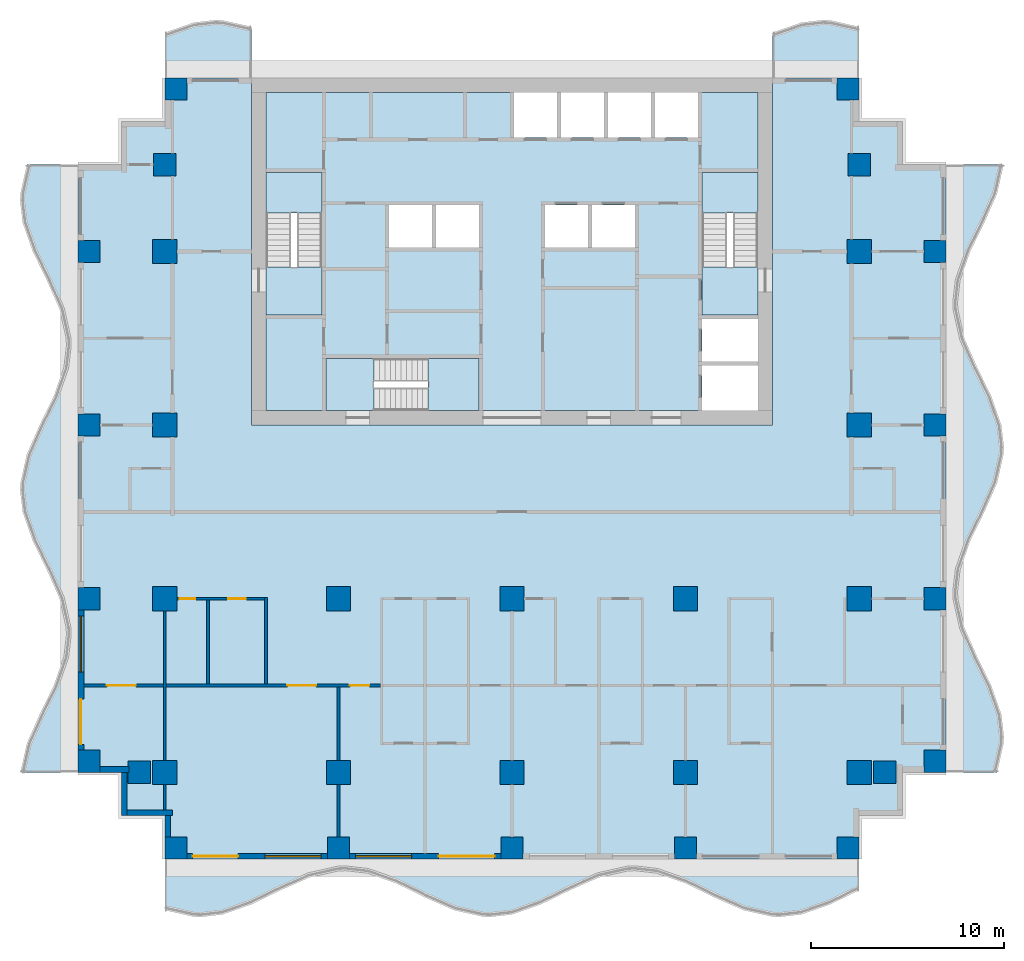
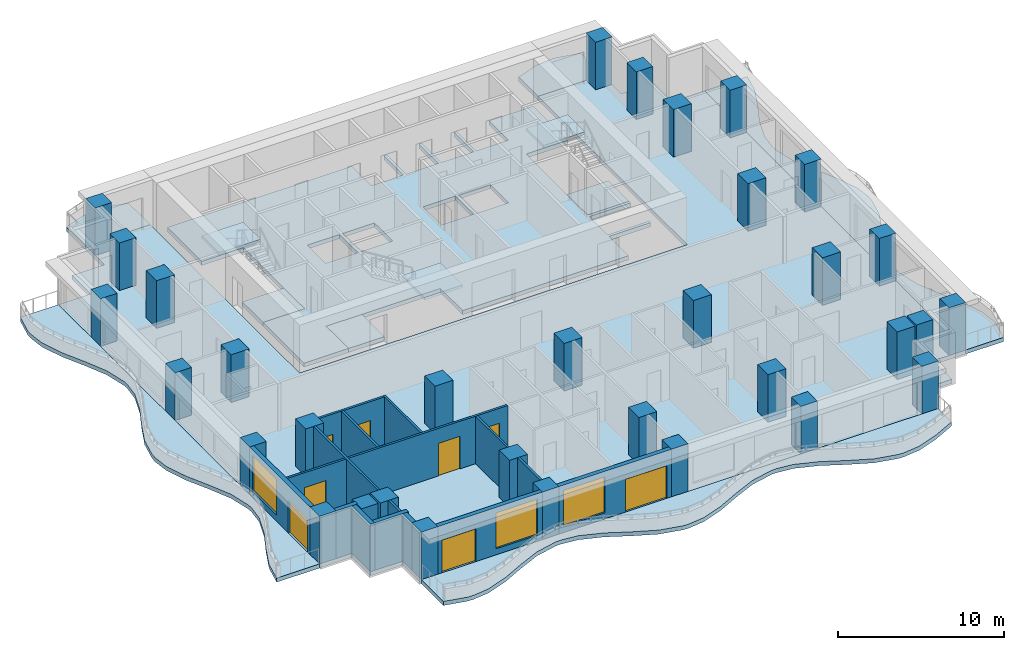
# One storey, part 1 of 10: 33 columns, 16 walls, 13 slabs, 8 doors, 3 windows, 11 openings, 3 elements without a shape of their own.
"""IFC4 building model written with IfcOpenShell, lengths in metres."""

from ifc_helpers import new_model, si_unit, direction, frame, frame_2d, origin, origin_2d, place, context, subcontext, project, spatial, polyline, rectangle, outline, extrude, material, layer, layer_set, material_profile, profile_set, type_object, element, fill, aggregate, save


model = new_model("IFC4")

# Units and contexts
model_context = context("Model", 3, precision=1e-05, world=origin(), true_north=direction((0.0, 1.0)))
body_context = subcontext(model_context, "Body", "Model", "MODEL_VIEW")
ifc_project = project(units=[si_unit("LENGTHUNIT", "METRE"), si_unit("AREAUNIT", "SQUARE_METRE"), si_unit("VOLUMEUNIT", "CUBIC_METRE"), si_unit("PLANEANGLEUNIT", "RADIAN"), si_unit("MASSUNIT", "GRAM", prefix="KILO")], contexts=[model_context])

# Site, building, storey
site_placement = place(None, origin())
site = spatial("IfcSite", under=ifc_project, at=site_placement, CompositionType="ELEMENT")
building_placement = place(site_placement, origin())
building = spatial("IfcBuilding", under=site, at=building_placement, Name="Orbiselva Terraces", CompositionType="ELEMENT")
storey_placement = place(building_placement, frame((0.0, 0.0, 147.8)))
storey = spatial("IfcBuildingStorey", under=building, at=storey_placement, Name="L37", CompositionType="ELEMENT", Elevation=147.8)

# Columns
ifc_material_1 = material(Name="Concrete C60/75", Category="concrete")
ifc_material_profile_1 = material_profile(ifc_material_1, rectangle(XDim=1.25, YDim=1.25, at=origin_2d()), Name="RC 1250x1250")
ifc_profile_set_1 = profile_set([ifc_material_profile_1], Name="Concrete C60/75")
column_type_1 = type_object("IfcColumnType", Name="COLUMN RC 1250x1250", PredefinedType="COLUMN", material=ifc_profile_set_1)
for number, where, z_axis, x_axis, name in (
    (1, (-18.0, -13.5, 0.0), (0.0, 0.0, 1.0), (1.0, 0.0, 0.0), "Column L37-01"),
    (2, (-18.0, -4.5, 0.0), (0.0, 0.0, 1.0), (1.0, 0.0, 0.0), "Column L37-03"),
    (3, (-18.0, 13.5, 0.0), (0.0, 0.0, 1.0), (1.0, 0.0, 0.0), "Column L37-04"),
    (4, (-18.0, 4.5, 0.0), (0.0, 0.0, 1.0), (1.0, 0.0, 0.0), "Column L37-06"),
    (5, (-9.0, -13.5, 0.0), (0.0, 0.0, 1.0), (1.0, 0.0, 0.0), "Column L37-13"),
    (6, (-9.0, -4.5, 0.0), (0.0, 0.0, 1.0), (1.0, 0.0, 0.0), "Column L37-15"),
    (7, (0.0, -13.5, 0.0), (0.0, 0.0, 1.0), (1.0, 0.0, 0.0), "Column L37-16"),
    (8, (0.0, -4.5, 0.0), (0.0, 0.0, 1.0), (1.0, 0.0, 0.0), "Column L37-18"),
    (9, (18.0, -13.5, 0.0), (0.0, 0.0, 1.0), (1.0, 0.0, 0.0), "Column L37-19"),
    (10, (18.0, -4.5, 0.0), (0.0, 0.0, 1.0), (1.0, 0.0, 0.0), "Column L37-21"),
    (11, (18.0, 13.5, 0.0), (0.0, 0.0, 1.0), (1.0, 0.0, 0.0), "Column L37-22"),
    (12, (18.0, 4.5, 0.0), (0.0, 0.0, 1.0), (1.0, 0.0, 0.0), "Column L37-24"),
    (13, (9.0, -13.5, 0.0), (0.0, 0.0, 1.0), (1.0, 0.0, 0.0), "Column L37-31"),
    (14, (9.0, -4.5, 0.0), (0.0, 0.0, 1.0), (1.0, 0.0, 0.0), "Column L37-33"),
):
    element("IfcColumn", number, at=place(storey_placement, frame(where, z_axis=z_axis, x_axis=x_axis)), inside=storey, type_object=column_type_1, Name=name, PredefinedType="COLUMN", context=body_context, shape_type="SweptSolid", body=[
        extrude(rectangle(XDim=1.25, YDim=1.25, at=origin_2d()), origin(), (0.0, 0.0, 1.0), 3.5),
    ])
ifc_material_profile_2 = material_profile(ifc_material_1, rectangle(XDim=1.15, YDim=1.15, at=origin_2d()), Name="RC 1150x1150")
ifc_profile_set_2 = profile_set([ifc_material_profile_2], Name="Concrete C60/75")
column_type_2 = type_object("IfcColumnType", Name="PERIMETER COLUMN RC 1150x1150", PredefinedType="COLUMN", material=ifc_profile_set_2)
for number, where, z_axis, x_axis, name in (
    (15, (-17.425, -17.425, 0.0), (0.0, 0.0, 1.0), (1.0, 0.0, 0.0), "Column L37-02"),
    (16, (-17.425, 21.925, 0.0), (0.0, 0.0, 1.0), (1.0, 0.0, 0.0), "Column L37-05"),
    (17, (-21.925, -12.925, 0.0), (0.0, 0.0, 1.0), (1.0, 0.0, 0.0), "Column L37-07"),
    (18, (-19.32, -13.5, 0.0), (0.0, 0.0, 1.0), (1.0, 0.0, 0.0), "Column L37-08"),
    (19, (-21.925, -4.5, 0.0), (0.0, 0.0, 1.0), (1.0, 0.0, 0.0), "Column L37-09"),
    (20, (-21.925, 13.5, 0.0), (0.0, 0.0, 1.0), (1.0, 0.0, 0.0), "Column L37-10"),
    (21, (-18.0, 18.0, 0.0), (0.0, 0.0, 1.0), (1.0, 0.0, 0.0), "Column L37-11"),
    (22, (-21.925, 4.5, 0.0), (0.0, 0.0, 1.0), (1.0, 0.0, 0.0), "Column L37-12"),
    (23, (-9.0, -17.425, 0.0), (0.0, 0.0, 1.0), (1.0, 0.0, 0.0), "Column L37-14"),
    (24, (0.0, -17.425, 0.0), (0.0, 0.0, 1.0), (1.0, 0.0, 0.0), "Column L37-17"),
    (25, (17.425, -17.425, 0.0), (0.0, 0.0, 1.0), (1.0, 0.0, 0.0), "Column L37-20"),
    (26, (17.425, 21.925, 0.0), (0.0, 0.0, 1.0), (1.0, 0.0, 0.0), "Column L37-23"),
    (27, (21.925, -12.925, 0.0), (0.0, 0.0, 1.0), (1.0, 0.0, 0.0), "Column L37-25"),
    (28, (19.32, -13.5, 0.0), (0.0, 0.0, 1.0), (1.0, 0.0, 0.0), "Column L37-26"),
    (29, (21.925, -4.5, 0.0), (0.0, 0.0, 1.0), (1.0, 0.0, 0.0), "Column L37-27"),
    (30, (21.925, 13.5, 0.0), (0.0, 0.0, 1.0), (1.0, 0.0, 0.0), "Column L37-28"),
    (31, (18.0, 18.0, 0.0), (0.0, 0.0, 1.0), (1.0, 0.0, 0.0), "Column L37-29"),
    (32, (21.925, 4.5, 0.0), (0.0, 0.0, 1.0), (1.0, 0.0, 0.0), "Column L37-30"),
    (33, (9.0, -17.425, 0.0), (0.0, 0.0, 1.0), (1.0, 0.0, 0.0), "Column L37-32"),
):
    element("IfcColumn", number, at=place(storey_placement, frame(where, z_axis=z_axis, x_axis=x_axis)), inside=storey, type_object=column_type_2, Name=name, PredefinedType="COLUMN", context=body_context, shape_type="SweptSolid", body=[
        extrude(rectangle(XDim=1.15, YDim=1.15, at=origin_2d()), origin(), (0.0, 0.0, 1.0), 3.5),
    ])

# Slabs
ifc_material_2 = material(Name="Concrete C40/50", Category="concrete")
ifc_layer_1 = layer(ifc_material_2, 0.3)
ifc_layer_set_1 = layer_set([ifc_layer_1], Name="Concrete C40/50")
slab_type_1 = type_object("IfcSlabType", Name="CORE-SLAB-FLOOR-300", PredefinedType="FLOOR", material=ifc_layer_set_1)
slab_1_placement = place(storey_placement, frame((0.0, 0.0, -0.3)))
element("IfcSlab", 34, at=slab_1_placement, inside=storey, type_object=slab_type_1, Name="L37 S1 floor landing", PredefinedType="FLOOR", context=body_context, shape_type="SweptSolid", body=[
    extrude(outline(polyline([(-12.75, 12.7), (-9.85, 12.7), (-9.85, 10.2), (-12.75, 10.2), (-12.75, 12.7)])), origin(), (0.0, 0.0, 1.0), 0.3),
])
slab_2_placement = place(storey_placement, frame((0.0, 0.0, -0.3)))
element("IfcSlab", 35, at=slab_2_placement, inside=storey, type_object=slab_type_1, Name="L37 S2 floor landing", PredefinedType="FLOOR", context=body_context, shape_type="SweptSolid", body=[
    extrude(outline(polyline([(12.75, 12.7), (12.75, 10.2), (9.85, 10.2), (9.85, 12.7), (12.75, 12.7)])), origin(), (0.0, 0.0, 1.0), 0.3),
])
slab_3_placement = place(storey_placement, frame((0.0, 0.0, -0.3)))
element("IfcSlab", 36, at=slab_3_placement, inside=storey, type_object=slab_type_1, Name="L37 S3 floor landing", PredefinedType="FLOOR", context=body_context, shape_type="SweptSolid", body=[
    extrude(outline(polyline([(-7.15, 5.25), (-9.65, 5.25), (-9.65, 7.95), (-7.15, 7.95), (-7.15, 5.25)])), origin(), (0.0, 0.0, 1.0), 0.3),
])
slab_4_placement = place(storey_placement, frame((0.0, 0.0, -0.3)))
element("IfcSlab", 37, at=slab_4_placement, inside=storey, type_object=slab_type_1, Name="L37 core floor slab 1", PredefinedType="FLOOR", context=body_context, shape_type="SweptSolid", body=[
    extrude(outline(polyline([(-1.7, 5.25), (-1.7, 7.95), (-9.65, 7.95), (-9.65, 5.25), (-12.75, 5.25), (-12.75, 10.2), (-9.85, 10.2), (-9.85, 17.6), (-12.75, 17.6), (-12.75, 21.75), (0.1, 21.75), (0.1, 19.4), (2.3375, 19.4), (2.3375, 21.75), (2.5375, 21.75), (2.5375, 19.4), (4.775, 19.4), (4.775, 21.75), (4.975, 21.75), (4.975, 19.4), (7.2125, 19.4), (7.2125, 21.75), (7.4125, 21.75), (7.4125, 19.4), (9.65, 19.4), (9.65, 21.75), (12.75, 21.75), (12.75, 17.6), (9.85, 17.6), (9.85, 10.2), (12.75, 10.2), (12.75, 10.0), (9.85, 10.0), (9.85, 7.8), (12.75, 7.8), (12.75, 7.6), (9.85, 7.6), (9.85, 5.25), (-1.7, 5.25)]), holes=[polyline([(-4.1375, 13.7), (-4.1375, 15.9), (-6.375, 15.9), (-6.375, 13.7), (-4.1375, 13.7)]), polyline([(-1.7, 13.7), (-1.7, 15.9), (-3.9375, 15.9), (-3.9375, 13.7), (-1.7, 13.7)]), polyline([(3.9375, 15.9), (1.7, 15.9), (1.7, 13.7), (3.9375, 13.7), (3.9375, 15.9)]), polyline([(6.375, 13.7), (6.375, 15.9), (4.1375, 15.9), (4.1375, 13.7), (6.375, 13.7)])]), origin(), (0.0, 0.0, 1.0), 0.3),
])

# Stair, slab
stair_type_1 = type_object("IfcStairType", Name="CORE-STAIR-1300", PredefinedType="HALF_TURN_STAIR", material=ifc_material_2)
stair_1_placement = place(storey_placement, origin())
stair_1 = element("IfcStair", 38, at=stair_1_placement, inside=storey, type_object=stair_type_1, Name="L37 Exit Stair S1", PredefinedType="HALF_TURN_STAIR")
ifc_layer_2 = layer(ifc_material_2, 0.2)
ifc_layer_set_2 = layer_set([ifc_layer_2], Name="Concrete C40/50")
slab_type_2 = type_object("IfcSlabType", Name="CORE-STAIR-LANDING-200", PredefinedType="LANDING", material=ifc_layer_set_2)
slab_5_placement = place(storey_placement, frame((0.0, 0.0, 1.7)))
slab_5 = element("IfcSlab", 39, at=slab_5_placement, type_object=slab_type_2, Name="S1 landing 1", PredefinedType="LANDING", context=body_context, shape_type="SweptSolid", body=[
    extrude(outline(polyline([(-9.85, 15.5), (-9.85, 17.6), (-12.75, 17.6), (-12.75, 15.5), (-9.85, 15.5)])), origin(), (0.0, 0.0, 1.0), 0.2),
])
aggregate(stair_1, [slab_5])

stair_2_placement = place(storey_placement, origin())
stair_2 = element("IfcStair", 40, at=stair_2_placement, inside=storey, type_object=stair_type_1, Name="L37 Exit Stair S2", PredefinedType="HALF_TURN_STAIR")
slab_6_placement = place(storey_placement, frame((0.0, 0.0, 1.7)))
slab_6 = element("IfcSlab", 41, at=slab_6_placement, type_object=slab_type_2, Name="S2 landing 1", PredefinedType="LANDING", context=body_context, shape_type="SweptSolid", body=[
    extrude(outline(polyline([(12.75, 15.5), (12.75, 17.6), (9.85, 17.6), (9.85, 15.5), (12.75, 15.5)])), origin(), (0.0, 0.0, 1.0), 0.2),
])
aggregate(stair_2, [slab_6])

stair_type_2 = type_object("IfcStairType", Name="CORE-STAIR-1200", PredefinedType="HALF_TURN_STAIR", material=ifc_material_2)
stair_3_placement = place(storey_placement, origin())
stair_3 = element("IfcStair", 42, at=stair_3_placement, inside=storey, type_object=stair_type_2, Name="L37 Exit Stair S3", PredefinedType="HALF_TURN_STAIR")
slab_7_placement = place(storey_placement, frame((0.0, 0.0, 1.7)))
slab_7 = element("IfcSlab", 43, at=slab_7_placement, type_object=slab_type_2, Name="S3 landing 1", PredefinedType="LANDING", context=body_context, shape_type="SweptSolid", body=[
    extrude(outline(polyline([(-4.35, 5.25), (-1.7, 5.25), (-1.7, 7.95), (-4.35, 7.95), (-4.35, 5.25)])), origin(), (0.0, 0.0, 1.0), 0.2),
])
aggregate(stair_3, [slab_7])

# Slabs
ifc_material_3 = material(Name="Concrete C50/60", Category="concrete")
ifc_layer_3 = layer(ifc_material_3, 0.3)
ifc_layer_set_3 = layer_set([ifc_layer_3], Name="Concrete C50/60")
slab_type_3 = type_object("IfcSlabType", Name="ENV-BALCONY-SLAB-300", PredefinedType="FLOOR", material=ifc_layer_set_3)
slab_8_placement = place(storey_placement, frame((0.0, 0.0, -0.3)))
element("IfcSlab", 44, at=slab_8_placement, inside=storey, type_object=slab_type_3, Name="Balcony slab L37 S", PredefinedType="FLOOR", context=body_context, shape_type="SweptSolid", body=[
    extrude(outline(polyline([(-18.0, -20.648528), (-16.5, -20.985226), (-16.125, -21.0), (-15.0, -20.869208), (-13.5, -20.344789), (-12.0, -19.612279), (-10.5, -18.951472), (-9.0, -18.614774), (-8.625, -18.6), (-7.5, -18.730792), (-6.0, -19.255211), (-4.5, -19.987721), (-3.0, -20.648528), (-1.5, -20.985226), (-1.125, -21.0), (0.0, -20.869208), (1.5, -20.344789), (3.0, -19.612279), (4.5, -18.951472), (6.0, -18.614774), (6.375, -18.6), (7.5, -18.730792), (9.0, -19.255211), (10.5, -19.987721), (12.0, -20.648528), (13.5, -20.985226), (13.875, -21.0), (15.0, -20.869208), (16.5, -20.344789), (18.0, -19.612279), (18.0, -18.0), (-18.0, -18.0), (-18.0, -20.648528)])), origin(), (0.0, 0.0, 1.0), 0.3),
])
slab_9_placement = place(storey_placement, frame((0.0, 0.0, -0.3)))
element("IfcSlab", 45, at=slab_9_placement, inside=storey, type_object=slab_type_3, Name="Balcony slab L37 E", PredefinedType="FLOOR", context=body_context, shape_type="SweptSolid", body=[
    extrude(outline(polyline([(25.148528, -13.5), (25.485226, -12.0), (25.5, -11.625), (25.369208, -10.5), (24.844789, -9.0), (24.112279, -7.5), (23.451472, -6.0), (23.114774, -4.5), (23.1, -4.125), (23.230792, -3.0), (23.755211, -1.5), (24.487721, 0.0), (25.148528, 1.5), (25.485226, 3.0), (25.5, 3.375), (25.369208, 4.5), (24.844789, 6.0), (24.112279, 7.5), (23.451472, 9.0), (23.114774, 10.5), (23.1, 10.875), (23.230792, 12.0), (23.755211, 13.5), (24.487721, 15.0), (25.148528, 16.5), (25.485226, 18.0), (22.5, 18.0), (22.5, -13.5), (25.148528, -13.5)])), origin(), (0.0, 0.0, 1.0), 0.3),
])
slab_10_placement = place(storey_placement, frame((0.0, 0.0, -0.3)))
element("IfcSlab", 46, at=slab_10_placement, inside=storey, type_object=slab_type_3, Name="Balcony slab L37 NE", PredefinedType="FLOOR", context=body_context, shape_type="SweptSolid", body=[
    extrude(outline(polyline([(18.0, 25.148528), (16.5, 25.485226), (16.125, 25.5), (15.0, 25.369208), (13.5, 24.844789), (13.5, 22.5), (18.0, 22.5), (18.0, 25.148528)])), origin(), (0.0, 0.0, 1.0), 0.3),
])
slab_11_placement = place(storey_placement, frame((0.0, 0.0, -0.3)))
element("IfcSlab", 47, at=slab_11_placement, inside=storey, type_object=slab_type_3, Name="Balcony slab L37 NW", PredefinedType="FLOOR", context=body_context, shape_type="SweptSolid", body=[
    extrude(outline(polyline([(-13.5, 25.148528), (-15.0, 25.485226), (-15.375, 25.5), (-16.5, 25.369208), (-18.0, 24.844789), (-18.0, 22.5), (-13.5, 22.5), (-13.5, 25.148528)])), origin(), (0.0, 0.0, 1.0), 0.3),
])
slab_12_placement = place(storey_placement, frame((0.0, 0.0, -0.3)))
element("IfcSlab", 48, at=slab_12_placement, inside=storey, type_object=slab_type_3, Name="Balcony slab L37 W", PredefinedType="FLOOR", context=body_context, shape_type="SweptSolid", body=[
    extrude(outline(polyline([(-25.148528, 18.0), (-25.485226, 16.5), (-25.5, 16.125), (-25.369208, 15.0), (-24.844789, 13.5), (-24.112279, 12.0), (-23.451472, 10.5), (-23.114774, 9.0), (-23.1, 8.625), (-23.230792, 7.5), (-23.755211, 6.0), (-24.487721, 4.5), (-25.148528, 3.0), (-25.485226, 1.5), (-25.5, 1.125), (-25.369208, 0.0), (-24.844789, -1.5), (-24.112279, -3.0), (-23.451472, -4.5), (-23.114774, -6.0), (-23.1, -6.375), (-23.230792, -7.5), (-23.755211, -9.0), (-24.487721, -10.5), (-25.148528, -12.0), (-25.485226, -13.5), (-22.5, -13.5), (-22.5, 18.0), (-25.148528, 18.0)])), origin(), (0.0, 0.0, 1.0), 0.3),
])
ifc_layer_4 = layer(ifc_material_3, 0.3)
ifc_layer_set_4 = layer_set([ifc_layer_4], Name="Concrete C50/60")
slab_type_4 = type_object("IfcSlabType", Name="FLOOR SLAB 300", PredefinedType="FLOOR", material=ifc_layer_set_4)
slab_13_placement = place(storey_placement, frame((0.0, 0.0, -0.3)))
element("IfcSlab", 49, at=slab_13_placement, inside=storey, type_object=slab_type_4, Name="Floor slab L37", PredefinedType="FLOOR", context=body_context, shape_type="SweptSolid", body=[
    extrude(outline(polyline([(18.0, 22.5), (18.0, 20.25), (20.25, 20.25), (20.25, 18.0), (22.5, 18.0), (22.5, -13.5), (20.25, -13.5), (20.25, -15.75), (18.0, -15.75), (18.0, -18.0), (-18.0, -18.0), (-18.0, -15.75), (-20.25, -15.75), (-20.25, -13.5), (-22.5, -13.5), (-22.5, 18.0), (-20.25, 18.0), (-20.25, 20.25), (-18.0, 20.25), (-18.0, 22.5), (-13.5, 22.5), (-13.5, 4.5), (13.5, 4.5), (13.5, 22.5), (18.0, 22.5)])), origin(), (0.0, 0.0, 1.0), 0.3),
])

# Wall, openings, door, window
ifc_material_4 = material(Name="Terracotta cladding on masonry backing", Category="masonry")
ifc_layer_5 = layer(ifc_material_4, 0.3)
ifc_layer_set_5 = layer_set([ifc_layer_5], Name="Terracotta cladding on masonry backing")
wall_type_1 = type_object("IfcWallType", Name="ENV-WALL-TERRACOTTA-300", PredefinedType="SOLIDWALL", material=ifc_layer_set_5)
wall_1_placement = place(storey_placement, frame((-9.575, -17.85, 0.0), z_axis=(0.0, 0.0, 1.0), x_axis=(-1.0, 0.0, 0.0)))
wall_1 = element("IfcWall", 50, at=wall_1_placement, inside=storey, type_object=wall_type_1, Name="Facade wall L37 S", PredefinedType="SOLIDWALL", context=body_context, shape_type="SweptSolid", body=[
    extrude(rectangle(XDim=7.275, YDim=0.3, at=frame_2d((3.6375, 0.0))), origin(), (0.0, 0.0, 1.0), 3.5),
])
opening_1_placement = place(wall_1_placement, frame((4.625, 0.0, 0.0)))
opening_1 = element("IfcOpeningElement", 51, at=opening_1_placement, cuts=wall_1, Name="Opening Z3-C-E01", PredefinedType="OPENING", context=body_context, shape_type="SweptSolid", body=[
    extrude(rectangle(XDim=2.35, YDim=2.4, at=frame_2d((1.175, 1.2))), frame((0.0, 0.16, 0.0), z_axis=(0.0, -1.0, 0.0), x_axis=(1.0, 0.0, 0.0)), (0.0, 0.0, 1.0), 0.32),
])
opening_2_placement = place(wall_1_placement, frame((0.325, 0.0, 0.45)))
opening_2 = element("IfcOpeningElement", 52, at=opening_2_placement, cuts=wall_1, Name="Opening WN8", PredefinedType="OPENING", context=body_context, shape_type="SweptSolid", body=[
    extrude(rectangle(XDim=2.9, YDim=2.65, at=frame_2d((1.45, 1.325))), frame((0.0, 0.16, 0.0), z_axis=(0.0, -1.0, 0.0), x_axis=(1.0, 0.0, 0.0)), (0.0, 0.0, 1.0), 0.32),
])
ifc_material_5 = material(Name="Clear low-e glazing in aluminium frame", Category="aluminium")
door_type_1 = type_object("IfcDoorType", Name="BALCONY DOOR 2350 X 2400", OperationType="DOUBLE_DOOR_SLIDING", PredefinedType="DOOR", material=ifc_material_5)
door_1_placement = place(opening_1_placement, origin())
door_1 = element("IfcDoor", 53, at=door_1_placement, inside=storey, type_object=door_type_1, Name="Z3-C-E01", OperationType="SINGLE_SWING_LEFT", OverallHeight=2.4, OverallWidth=2.35, PredefinedType="DOOR", context=body_context, shape_type="SweptSolid", body=[
    extrude(rectangle(XDim=2.35, YDim=2.4, at=frame_2d((1.175, 1.2))), frame((0.0, 0.025, 0.0), z_axis=(0.0, -1.0, 0.0), x_axis=(1.0, 0.0, 0.0)), (0.0, 0.0, 1.0), 0.05),
])
fill(opening_1, door_1)
window_type = type_object("IfcWindowType", Name="WINDOW 2900 X 2650 S450", PartitioningType="TRIPLE_PANEL_VERTICAL", PredefinedType="WINDOW", material=ifc_material_5)
window_1_placement = place(opening_2_placement, origin())
window_1 = element("IfcWindow", 54, at=window_1_placement, inside=storey, type_object=window_type, Name="Window L37 S", OverallHeight=2.65, OverallWidth=2.9, PartitioningType="SINGLE_PANEL", PredefinedType="WINDOW", context=body_context, shape_type="SweptSolid", body=[
    extrude(rectangle(XDim=2.9, YDim=2.65, at=frame_2d((1.45, 1.325))), frame((0.0, 0.03, 0.0), z_axis=(0.0, -1.0, 0.0), x_axis=(1.0, 0.0, 0.0)), (0.0, 0.0, 1.0), 0.06),
])
fill(opening_2, window_1)

wall_2_placement = place(storey_placement, frame((-0.575, -17.85, 0.0), z_axis=(0.0, 0.0, 1.0), x_axis=(-1.0, 0.0, 0.0)))
wall_2 = element("IfcWall", 55, at=wall_2_placement, inside=storey, type_object=wall_type_1, Name="Facade wall L37 S", PredefinedType="SOLIDWALL", context=body_context, shape_type="SweptSolid", body=[
    extrude(rectangle(XDim=7.85, YDim=0.3, at=frame_2d((3.925, 0.0))), origin(), (0.0, 0.0, 1.0), 3.5),
])
opening_3_placement = place(wall_2_placement, frame((4.625, 0.0, 0.45)))
opening_3 = element("IfcOpeningElement", 56, at=opening_3_placement, cuts=wall_2, Name="Opening WN8", PredefinedType="OPENING", context=body_context, shape_type="SweptSolid", body=[
    extrude(rectangle(XDim=2.9, YDim=2.65, at=frame_2d((1.45, 1.325))), frame((0.0, 0.16, 0.0), z_axis=(0.0, -1.0, 0.0), x_axis=(1.0, 0.0, 0.0)), (0.0, 0.0, 1.0), 0.32),
])
opening_4_placement = place(wall_2_placement, frame((0.325, 0.0, 0.0)))
opening_4 = element("IfcOpeningElement", 57, at=opening_4_placement, cuts=wall_2, Name="Opening Z3-C-E02", PredefinedType="OPENING", context=body_context, shape_type="SweptSolid", body=[
    extrude(rectangle(XDim=2.9, YDim=2.4, at=frame_2d((1.45, 1.2))), frame((0.0, 0.16, 0.0), z_axis=(0.0, -1.0, 0.0), x_axis=(1.0, 0.0, 0.0)), (0.0, 0.0, 1.0), 0.32),
])
door_type_2 = type_object("IfcDoorType", Name="BALCONY DOOR 2900 X 2400", OperationType="DOUBLE_DOOR_SLIDING", PredefinedType="DOOR", material=ifc_material_5)
door_2_placement = place(opening_4_placement, origin())
door_2 = element("IfcDoor", 58, at=door_2_placement, inside=storey, type_object=door_type_2, Name="Z3-C-E02", OperationType="SINGLE_SWING_LEFT", OverallHeight=2.4, OverallWidth=2.9, PredefinedType="DOOR", context=body_context, shape_type="SweptSolid", body=[
    extrude(rectangle(XDim=2.9, YDim=2.4, at=frame_2d((1.45, 1.2))), frame((0.0, 0.025, 0.0), z_axis=(0.0, -1.0, 0.0), x_axis=(1.0, 0.0, 0.0)), (0.0, 0.0, 1.0), 0.05),
])
fill(opening_4, door_2)
window_2_placement = place(opening_3_placement, origin())
window_2 = element("IfcWindow", 59, at=window_2_placement, inside=storey, type_object=window_type, Name="Window L37 S", OverallHeight=2.65, OverallWidth=2.9, PartitioningType="SINGLE_PANEL", PredefinedType="WINDOW", context=body_context, shape_type="SweptSolid", body=[
    extrude(rectangle(XDim=2.9, YDim=2.65, at=frame_2d((1.45, 1.325))), frame((0.0, 0.03, 0.0), z_axis=(0.0, -1.0, 0.0), x_axis=(1.0, 0.0, 0.0)), (0.0, 0.0, 1.0), 0.06),
])
fill(opening_3, window_2)

wall_3_placement = place(storey_placement, frame((-22.35, -12.35, 0.0), z_axis=(0.0, 0.0, 1.0), x_axis=(0.0, 1.0, 0.0)))
wall_3 = element("IfcWall", 60, at=wall_3_placement, inside=storey, type_object=wall_type_1, Name="Facade wall L37 W", PredefinedType="SOLIDWALL", context=body_context, shape_type="SweptSolid", body=[
    extrude(rectangle(XDim=7.275, YDim=0.3, at=frame_2d((3.6375, 0.0))), origin(), (0.0, 0.0, 1.0), 3.5),
])
opening_5_placement = place(wall_3_placement, frame((4.05, 0.0, 0.45)))
opening_5 = element("IfcOpeningElement", 61, at=opening_5_placement, cuts=wall_3, Name="Opening WN8", PredefinedType="OPENING", context=body_context, shape_type="SweptSolid", body=[
    extrude(rectangle(XDim=2.9, YDim=2.65, at=frame_2d((1.45, 1.325))), frame((0.0, 0.16, 0.0), z_axis=(0.0, -1.0, 0.0), x_axis=(1.0, 0.0, 0.0)), (0.0, 0.0, 1.0), 0.32),
])
opening_6_placement = place(wall_3_placement, frame((0.3, 0.0, 0.0)))
opening_6 = element("IfcOpeningElement", 62, at=opening_6_placement, cuts=wall_3, Name="Opening Z3-C-E12", PredefinedType="OPENING", context=body_context, shape_type="SweptSolid", body=[
    extrude(rectangle(XDim=2.35, YDim=2.4, at=frame_2d((1.175, 1.2))), frame((0.0, 0.16, 0.0), z_axis=(0.0, -1.0, 0.0), x_axis=(1.0, 0.0, 0.0)), (0.0, 0.0, 1.0), 0.32),
])
door_3_placement = place(opening_6_placement, origin())
door_3 = element("IfcDoor", 63, at=door_3_placement, inside=storey, type_object=door_type_1, Name="Z3-C-E12", OperationType="SINGLE_SWING_LEFT", OverallHeight=2.4, OverallWidth=2.35, PredefinedType="DOOR", context=body_context, shape_type="SweptSolid", body=[
    extrude(rectangle(XDim=2.35, YDim=2.4, at=frame_2d((1.175, 1.2))), frame((0.0, 0.025, 0.0), z_axis=(0.0, -1.0, 0.0), x_axis=(1.0, 0.0, 0.0)), (0.0, 0.0, 1.0), 0.05),
])
fill(opening_6, door_3)
window_3_placement = place(opening_5_placement, origin())
window_3 = element("IfcWindow", 64, at=window_3_placement, inside=storey, type_object=window_type, Name="Window L37 W", OverallHeight=2.65, OverallWidth=2.9, PartitioningType="SINGLE_PANEL", PredefinedType="WINDOW", context=body_context, shape_type="SweptSolid", body=[
    extrude(rectangle(XDim=2.9, YDim=2.65, at=frame_2d((1.45, 1.325))), frame((0.0, 0.03, 0.0), z_axis=(0.0, -1.0, 0.0), x_axis=(1.0, 0.0, 0.0)), (0.0, 0.0, 1.0), 0.06),
])
fill(opening_5, window_3)

# Walls
wall_4_placement = place(storey_placement, frame((-19.85, -13.35, 0.0), z_axis=(0.0, 0.0, 1.0), x_axis=(-1.0, 0.0, 0.0)))
element("IfcWall", 65, at=wall_4_placement, inside=storey, type_object=wall_type_1, Name="Facade wall L37 STEP", PredefinedType="SOLIDWALL", context=body_context, shape_type="SweptSolid", body=[
    extrude(rectangle(XDim=1.5, YDim=0.3, at=frame_2d((0.75, 0.0))), origin(), (0.0, 0.0, 1.0), 3.5),
])
wall_5_placement = place(storey_placement, frame((-20.1, -15.75, 0.0), z_axis=(0.0, 0.0, 1.0), x_axis=(0.0, 1.0, 0.0)))
element("IfcWall", 66, at=wall_5_placement, inside=storey, type_object=wall_type_1, Name="Facade wall L37 STEP", PredefinedType="SOLIDWALL", context=body_context, shape_type="SweptSolid", body=[
    extrude(rectangle(XDim=2.25, YDim=0.3, at=frame_2d((1.125, 0.0))), origin(), (0.0, 0.0, 1.0), 3.5),
])
wall_6_placement = place(storey_placement, frame((-17.6, -15.6, 0.0), z_axis=(0.0, 0.0, 1.0), x_axis=(-1.0, 0.0, 0.0)))
element("IfcWall", 67, at=wall_6_placement, inside=storey, type_object=wall_type_1, Name="Facade wall L37 STEP", PredefinedType="SOLIDWALL", context=body_context, shape_type="SweptSolid", body=[
    extrude(rectangle(XDim=2.35, YDim=0.3, at=frame_2d((1.175, 0.0))), origin(), (0.0, 0.0, 1.0), 3.5),
])
wall_7_placement = place(storey_placement, frame((-17.85, -16.85, 0.0), z_axis=(0.0, 0.0, 1.0), x_axis=(0.0, 1.0, 0.0)))
element("IfcWall", 68, at=wall_7_placement, inside=storey, type_object=wall_type_1, Name="Facade wall L37 STEP", PredefinedType="SOLIDWALL", context=body_context, shape_type="SweptSolid", body=[
    extrude(rectangle(XDim=1.1, YDim=0.3, at=frame_2d((0.55, 0.0))), origin(), (0.0, 0.0, 1.0), 3.5),
])

# Wall, opening, door
ifc_material_6 = material(Name="Plasterboard on steel stud partition", Category="steel")
ifc_layer_6 = layer(ifc_material_6, 0.15)
ifc_layer_set_6 = layer_set([ifc_layer_6], Name="Plasterboard on steel stud partition")
wall_type_2 = type_object("IfcWallType", Name="UNIT-PARTITION-150", PredefinedType="PARTITIONING", material=ifc_layer_set_6)
wall_8_placement = place(storey_placement, frame((-18.075, -9.0, 0.0), z_axis=(0.0, 0.0, 1.0), x_axis=(-1.0, 0.0, 0.0)))
wall_8 = element("IfcWall", 69, at=wall_8_placement, inside=storey, type_object=wall_type_2, Name="PARTITION L37-006", PredefinedType="PARTITIONING", context=body_context, shape_type="SweptSolid", body=[
    extrude(rectangle(XDim=4.125, YDim=0.15, at=frame_2d((2.0625, 0.0))), origin(), (0.0, 0.0, 1.0), 3.5),
])
opening_7_placement = place(wall_8_placement, frame((1.425, 0.0, 0.0)))
opening_7 = element("IfcOpeningElement", 70, at=opening_7_placement, cuts=wall_8, Name="Opening Z3-C-34", PredefinedType="OPENING", context=body_context, shape_type="SweptSolid", body=[
    extrude(rectangle(XDim=1.5, YDim=2.4, at=frame_2d((0.75, 1.2))), frame((0.0, 0.085, 0.0), z_axis=(0.0, -1.0, 0.0), x_axis=(1.0, 0.0, 0.0)), (0.0, 0.0, 1.0), 0.17),
])
ifc_material_7 = material(Name="Painted timber door leaf", Category="wood")
door_type_3 = type_object("IfcDoorType", Name="DOUBLE DOOR 1500", OperationType="NOTDEFINED", PredefinedType="DOOR", material=ifc_material_7)
door_4_placement = place(opening_7_placement, origin())
door_4 = element("IfcDoor", 71, at=door_4_placement, inside=storey, type_object=door_type_3, Name="Z3-C-34", OperationType="DOUBLE_DOOR_SINGLE_SWING", OverallHeight=2.4, OverallWidth=1.5, PredefinedType="DOOR", context=body_context, shape_type="SweptSolid", body=[
    extrude(rectangle(XDim=1.5, YDim=2.4, at=frame_2d((0.75, 1.2))), frame((0.0, 0.025, 0.0), z_axis=(0.0, -1.0, 0.0), x_axis=(1.0, 0.0, 0.0)), (0.0, 0.0, 1.0), 0.05),
])
fill(opening_7, door_4)

# Wall, openings, doors
wall_9_placement = place(storey_placement, frame((-6.825, -9.0, 0.0), z_axis=(0.0, 0.0, 1.0), x_axis=(-1.0, 0.0, 0.0)))
wall_9 = element("IfcWall", 72, at=wall_9_placement, inside=storey, type_object=wall_type_2, Name="PARTITION L37-007", PredefinedType="PARTITIONING", context=body_context, shape_type="SweptSolid", body=[
    extrude(rectangle(XDim=11.1, YDim=0.15, at=frame_2d((5.55, 0.0))), origin(), (0.0, 0.0, 1.0), 3.5),
])
opening_8_placement = place(wall_9_placement, frame((0.575, 0.0, 0.0)))
opening_8 = element("IfcOpeningElement", 73, at=opening_8_placement, cuts=wall_9, Name="Opening Z3-C-31", PredefinedType="OPENING", context=body_context, shape_type="SweptSolid", body=[
    extrude(rectangle(XDim=1.0, YDim=2.4, at=frame_2d((0.5, 1.2))), frame((0.0, 0.085, 0.0), z_axis=(0.0, -1.0, 0.0), x_axis=(1.0, 0.0, 0.0)), (0.0, 0.0, 1.0), 0.17),
])
opening_9_placement = place(wall_9_placement, frame((3.325, 0.0, 0.0)))
opening_9 = element("IfcOpeningElement", 74, at=opening_9_placement, cuts=wall_9, Name="Opening Z3-C-33", PredefinedType="OPENING", context=body_context, shape_type="SweptSolid", body=[
    extrude(rectangle(XDim=1.5, YDim=2.4, at=frame_2d((0.75, 1.2))), frame((0.0, 0.085, 0.0), z_axis=(0.0, -1.0, 0.0), x_axis=(1.0, 0.0, 0.0)), (0.0, 0.0, 1.0), 0.17),
])
door_5_placement = place(opening_9_placement, origin())
door_5 = element("IfcDoor", 75, at=door_5_placement, inside=storey, type_object=door_type_3, Name="Z3-C-33", OperationType="DOUBLE_DOOR_SINGLE_SWING", OverallHeight=2.4, OverallWidth=1.5, PredefinedType="DOOR", context=body_context, shape_type="SweptSolid", body=[
    extrude(rectangle(XDim=1.5, YDim=2.4, at=frame_2d((0.75, 1.2))), frame((0.0, 0.025, 0.0), z_axis=(0.0, -1.0, 0.0), x_axis=(1.0, 0.0, 0.0)), (0.0, 0.0, 1.0), 0.05),
])
fill(opening_9, door_5)
door_type_4 = type_object("IfcDoorType", Name="ROOM DOOR 1000", OperationType="NOTDEFINED", PredefinedType="DOOR", material=ifc_material_7)
door_6_placement = place(opening_8_placement, origin())
door_6 = element("IfcDoor", 76, at=door_6_placement, inside=storey, type_object=door_type_4, Name="Z3-C-31", OperationType="SINGLE_SWING_LEFT", OverallHeight=2.4, OverallWidth=1.0, PredefinedType="DOOR", context=body_context, shape_type="SweptSolid", body=[
    extrude(rectangle(XDim=1.0, YDim=2.4, at=frame_2d((0.5, 1.2))), frame((0.0, 0.025, 0.0), z_axis=(0.0, -1.0, 0.0), x_axis=(1.0, 0.0, 0.0)), (0.0, 0.0, 1.0), 0.05),
])
fill(opening_8, door_6)

wall_10_placement = place(storey_placement, frame((-12.825, -4.5, 0.0), z_axis=(0.0, 0.0, 1.0), x_axis=(-1.0, 0.0, 0.0)))
wall_10 = element("IfcWall", 77, at=wall_10_placement, inside=storey, type_object=wall_type_2, Name="PARTITION L37-016", PredefinedType="PARTITIONING", context=body_context, shape_type="SweptSolid", body=[
    extrude(rectangle(XDim=4.55, YDim=0.15, at=frame_2d((2.275, 0.0))), origin(), (0.0, 0.0, 1.0), 3.5),
])
opening_10_placement = place(wall_10_placement, frame((0.975, 0.0, 0.0)))
opening_10 = element("IfcOpeningElement", 78, at=opening_10_placement, cuts=wall_10, Name="Opening Z3-C-20", PredefinedType="OPENING", context=body_context, shape_type="SweptSolid", body=[
    extrude(rectangle(XDim=0.9, YDim=2.1, at=frame_2d((0.45, 1.05))), frame((0.0, 0.085, 0.0), z_axis=(0.0, -1.0, 0.0), x_axis=(1.0, 0.0, 0.0)), (0.0, 0.0, 1.0), 0.17),
])
opening_11_placement = place(wall_10_placement, frame((3.6, 0.0, 0.0)))
opening_11 = element("IfcOpeningElement", 79, at=opening_11_placement, cuts=wall_10, Name="Opening Z3-C-21", PredefinedType="OPENING", context=body_context, shape_type="SweptSolid", body=[
    extrude(rectangle(XDim=0.8, YDim=2.0, at=frame_2d((0.4, 1.0))), frame((0.0, 0.085, 0.0), z_axis=(0.0, -1.0, 0.0), x_axis=(1.0, 0.0, 0.0)), (0.0, 0.0, 1.0), 0.17),
])
door_type_5 = type_object("IfcDoorType", Name="SERVICE DOOR 900", OperationType="NOTDEFINED", PredefinedType="DOOR", material=ifc_material_7)
door_7_placement = place(opening_10_placement, origin())
door_7 = element("IfcDoor", 80, at=door_7_placement, inside=storey, type_object=door_type_5, Name="Z3-C-20", OperationType="SINGLE_SWING_LEFT", OverallHeight=2.1, OverallWidth=0.9, PredefinedType="DOOR", context=body_context, shape_type="SweptSolid", body=[
    extrude(rectangle(XDim=0.9, YDim=2.1, at=frame_2d((0.45, 1.05))), frame((0.0, 0.025, 0.0), z_axis=(0.0, -1.0, 0.0), x_axis=(1.0, 0.0, 0.0)), (0.0, 0.0, 1.0), 0.05),
])
fill(opening_10, door_7)
door_type_6 = type_object("IfcDoorType", Name="STORE DOOR 800", OperationType="NOTDEFINED", PredefinedType="DOOR", material=ifc_material_7)
door_8_placement = place(opening_11_placement, origin())
door_8 = element("IfcDoor", 81, at=door_8_placement, inside=storey, type_object=door_type_6, Name="Z3-C-21", OperationType="SINGLE_SWING_RIGHT", OverallHeight=2.0, OverallWidth=0.8, PredefinedType="DOOR", context=body_context, shape_type="SweptSolid", body=[
    extrude(rectangle(XDim=0.8, YDim=2.0, at=frame_2d((0.4, 1.0))), frame((0.0, 0.025, 0.0), z_axis=(0.0, -1.0, 0.0), x_axis=(1.0, 0.0, 0.0)), (0.0, 0.0, 1.0), 0.05),
])
fill(opening_11, door_8)

# Walls
wall_11_placement = place(storey_placement, frame((-18.0, -15.45, 0.0), z_axis=(0.0, 0.0, 1.0), x_axis=(0.0, 1.0, 0.0)))
element("IfcWall", 82, at=wall_11_placement, inside=storey, type_object=wall_type_2, Name="PARTITION L37-036", PredefinedType="PARTITIONING", context=body_context, shape_type="SweptSolid", body=[
    extrude(rectangle(XDim=1.325, YDim=0.15, at=frame_2d((0.6625, 0.0))), origin(), (0.0, 0.0, 1.0), 3.5),
])
wall_12_placement = place(storey_placement, frame((-18.0, -12.875, 0.0), z_axis=(0.0, 0.0, 1.0), x_axis=(0.0, 1.0, 0.0)))
element("IfcWall", 83, at=wall_12_placement, inside=storey, type_object=wall_type_2, Name="PARTITION L37-037", PredefinedType="PARTITIONING", context=body_context, shape_type="SweptSolid", body=[
    extrude(rectangle(XDim=7.75, YDim=0.15, at=frame_2d((3.875, 0.0))), origin(), (0.0, 0.0, 1.0), 3.5),
])
wall_13_placement = place(storey_placement, frame((-15.75, -8.925, 0.0), z_axis=(0.0, 0.0, 1.0), x_axis=(0.0, 1.0, 0.0)))
element("IfcWall", 84, at=wall_13_placement, inside=storey, type_object=wall_type_2, Name="PARTITION L37-042", PredefinedType="PARTITIONING", context=body_context, shape_type="SweptSolid", body=[
    extrude(rectangle(XDim=4.35, YDim=0.15, at=frame_2d((2.175, 0.0))), origin(), (0.0, 0.0, 1.0), 3.5),
])
wall_14_placement = place(storey_placement, frame((-12.75, -8.925, 0.0), z_axis=(0.0, 0.0, 1.0), x_axis=(0.0, 1.0, 0.0)))
element("IfcWall", 85, at=wall_14_placement, inside=storey, type_object=wall_type_2, Name="PARTITION L37-043", PredefinedType="PARTITIONING", context=body_context, shape_type="SweptSolid", body=[
    extrude(rectangle(XDim=4.5, YDim=0.15, at=frame_2d((2.25, 0.0))), origin(), (0.0, 0.0, 1.0), 3.5),
])
wall_15_placement = place(storey_placement, frame((-9.0, -16.85, 0.0), z_axis=(0.0, 0.0, 1.0), x_axis=(0.0, 1.0, 0.0)))
element("IfcWall", 86, at=wall_15_placement, inside=storey, type_object=wall_type_2, Name="PARTITION L37-044", PredefinedType="PARTITIONING", context=body_context, shape_type="SweptSolid", body=[
    extrude(rectangle(XDim=2.725, YDim=0.15, at=frame_2d((1.3625, 0.0))), origin(), (0.0, 0.0, 1.0), 3.5),
])
wall_16_placement = place(storey_placement, frame((-9.0, -12.875, 0.0), z_axis=(0.0, 0.0, 1.0), x_axis=(0.0, 1.0, 0.0)))
element("IfcWall", 87, at=wall_16_placement, inside=storey, type_object=wall_type_2, Name="PARTITION L37-045", PredefinedType="PARTITIONING", context=body_context, shape_type="SweptSolid", body=[
    extrude(rectangle(XDim=3.8, YDim=0.15, at=frame_2d((1.9, 0.0))), origin(), (0.0, 0.0, 1.0), 3.5),
])

save(model, "model.ifc")
